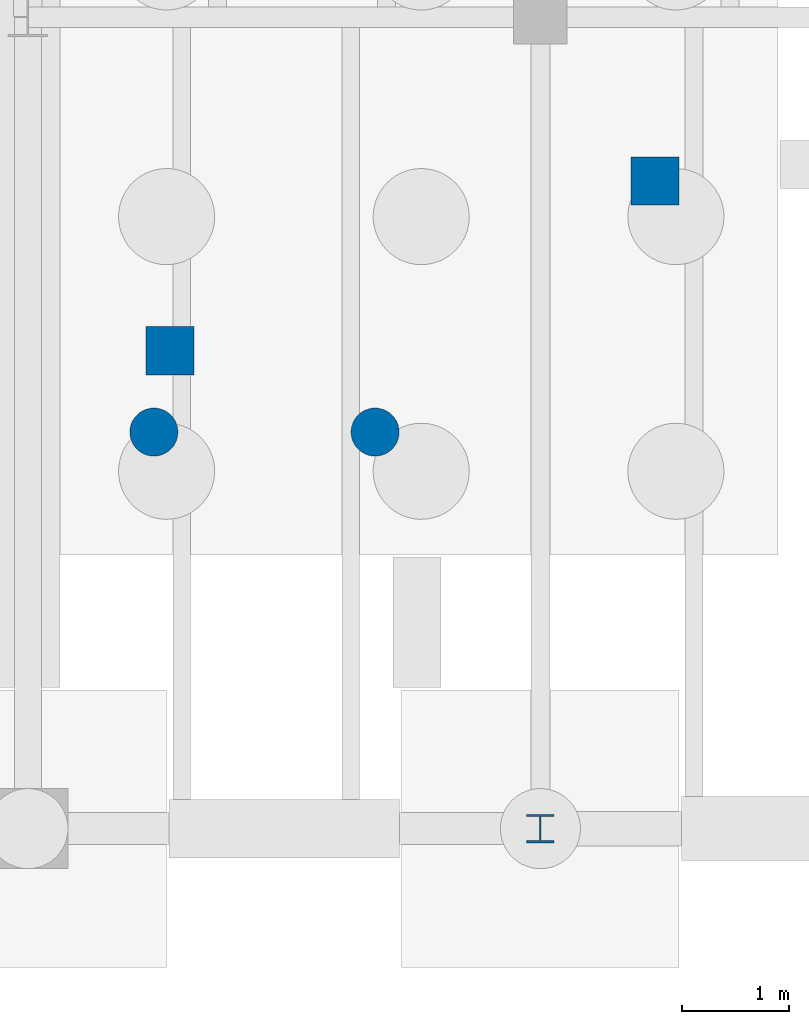
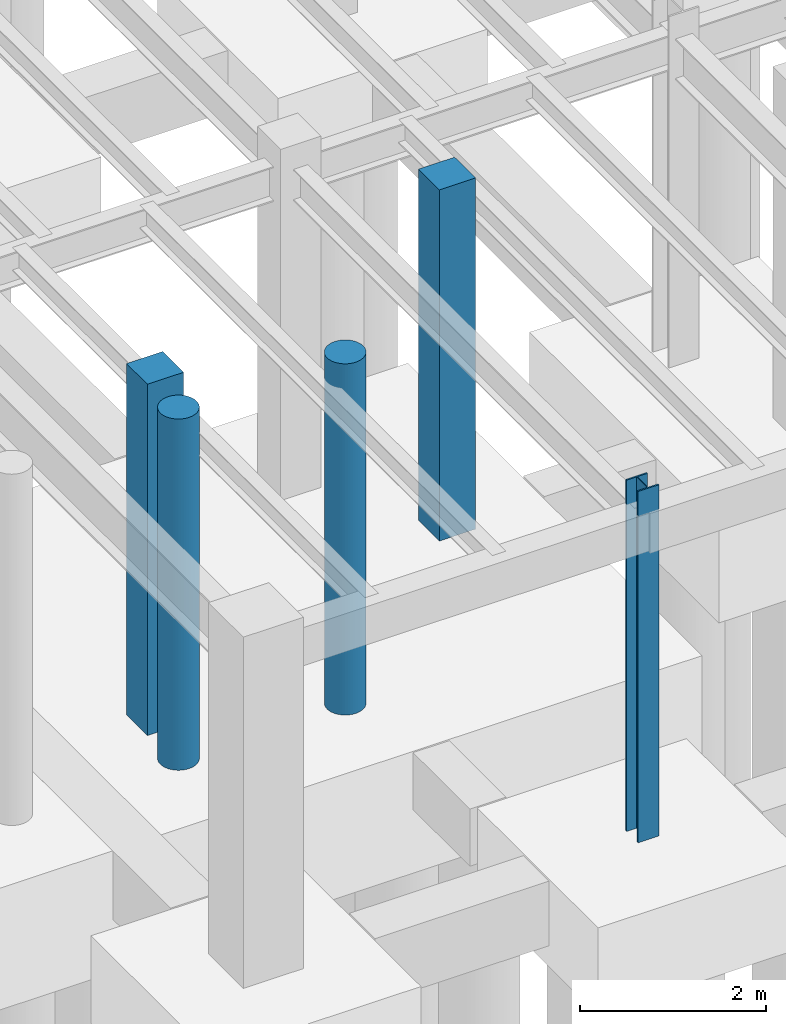
# One storey, part 11 of 45: 5 columns.
"""IFC4 building model written with IfcOpenShell, lengths in metres."""

from ifc_helpers import new_model, si_unit, direction, frame, origin, origin_2d, place, context, subcontext, project, spatial, rectangle, circle, i_section, extrude, material, material_profile, profile_set, type_object, element, save


model = new_model("IFC4")

# Units and contexts
model_context = context("Model", 3, precision=1e-05, world=origin(), true_north=direction((0.0, 1.0)))
body_context = subcontext(model_context, "Body", "Model", "MODEL_VIEW")
ifc_project = project(units=[si_unit("LENGTHUNIT", "METRE"), si_unit("AREAUNIT", "SQUARE_METRE"), si_unit("VOLUMEUNIT", "CUBIC_METRE"), si_unit("PLANEANGLEUNIT", "RADIAN"), si_unit("MASSUNIT", "GRAM", prefix="KILO")], contexts=[model_context])

# Site, building, storey
site_placement = place(None, origin())
site = spatial("IfcSite", under=ifc_project, at=site_placement, CompositionType="ELEMENT")
building_placement = place(site_placement, origin())
building = spatial("IfcBuilding", under=site, at=building_placement, Name="Corveleigh Park Community Centre", CompositionType="ELEMENT")
storey_placement = place(building_placement, frame((0.0, 0.0, -4.199951171875)))
storey = spatial("IfcBuildingStorey", under=building, at=storey_placement, Name="B1", CompositionType="ELEMENT", Elevation=-4.199951171875)

# Columns
ifc_material_1 = material(Name="Concrete C40/50", Category="concrete")
ifc_material_profile_1 = material_profile(ifc_material_1, rectangle(XDim=0.449951171875, YDim=0.449951171875, at=origin_2d()), Name="RC-450x450", Category="concrete")
ifc_profile_set_1 = profile_set([ifc_material_profile_1], Name="Concrete C40/50")
column_type_1 = type_object("IfcColumnType", Name="COL-RC-450x450", PredefinedType="COLUMN", material=ifc_profile_set_1)
for number, where, z_axis, x_axis, name in (
    (1, (131.12890625, 63.075927734375, -0.4150390625), (0.0, 0.0, 1.0), (1.0, 0.0, 0.0), "External deck support pier 124 B1"),
    (2, (135.674072265625, 64.6640625, -0.4150390625), (0.0, 0.0, 1.0), (1.0, 0.0, 0.0), "External deck support pier 131 B1"),
):
    element("IfcColumn", number, at=place(storey_placement, frame(where, z_axis=z_axis, x_axis=x_axis)), inside=storey, type_object=column_type_1, Name=name, PredefinedType="COLUMN", context=body_context, shape_type="SweptSolid", body=[
        extrude(rectangle(XDim=0.449951171875, YDim=0.449951171875, at=origin_2d()), origin(), (0.0, 0.0, 1.0), 4.614990234375),
    ])
ifc_material_profile_2 = material_profile(ifc_material_1, circle(Radius=0.22509765625, at=origin_2d()), Name="RC-450D", Category="concrete")
ifc_profile_set_2 = profile_set([ifc_material_profile_2], Name="Concrete C40/50")
column_type_2 = type_object("IfcColumnType", Name="COL-RCE-450D", PredefinedType="COLUMN", material=ifc_profile_set_2)
for number, where, z_axis, x_axis, name in (
    (3, (130.97998046875, 62.31396484375, -0.4150390625), (0.0, 0.0, 1.0), (1.0, 0.0, 0.0), "External deck support pier 253 B1"),
    (4, (133.052001953125, 62.31396484375, -0.4150390625), (0.0, 0.0, 1.0), (1.0, 0.0, 0.0), "External deck support pier 254 B1"),
):
    element("IfcColumn", number, at=place(storey_placement, frame(where, z_axis=z_axis, x_axis=x_axis)), inside=storey, type_object=column_type_2, Name=name, PredefinedType="COLUMN", context=body_context, shape_type="SweptSolid", body=[
        extrude(circle(Radius=0.22509765625, at=origin_2d()), origin(), (0.0, 0.0, 1.0), 4.614990234375),
    ])
ifc_material_2 = material(Name="Steel S355", Category="steel")
ifc_material_profile_3 = material_profile(ifc_material_2, i_section(OverallWidth=0.2587890625, OverallDepth=0.2666015625, WebThickness=0.0126953125, FlangeThickness=0.0205078125, at=origin_2d()), Name="UKC 254x254x107", Category="steel")
ifc_profile_set_3 = profile_set([ifc_material_profile_3], Name="Steel S355")
column_type_3 = type_object("IfcColumnType", Name="COL-STL-UKC254x107", PredefinedType="COLUMN", material=ifc_profile_set_3)
column_placement = place(storey_placement, frame((134.60009765625, 58.60009765625, -0.4150390625), z_axis=(0.0, 0.0, 1.0), x_axis=(1.0, 0.0, 0.0)))
element("IfcColumn", 5, at=column_placement, inside=storey, type_object=column_type_3, Name="Column V4-X1Y0 B1", PredefinedType="COLUMN", context=body_context, shape_type="SweptSolid", body=[
    extrude(i_section(OverallWidth=0.2587890625, OverallDepth=0.2666015625, WebThickness=0.0126953125, FlangeThickness=0.0205078125, at=origin_2d()), origin(), (0.0, 0.0, 1.0), 4.614990234375),
])

save(model, "model.ifc")
